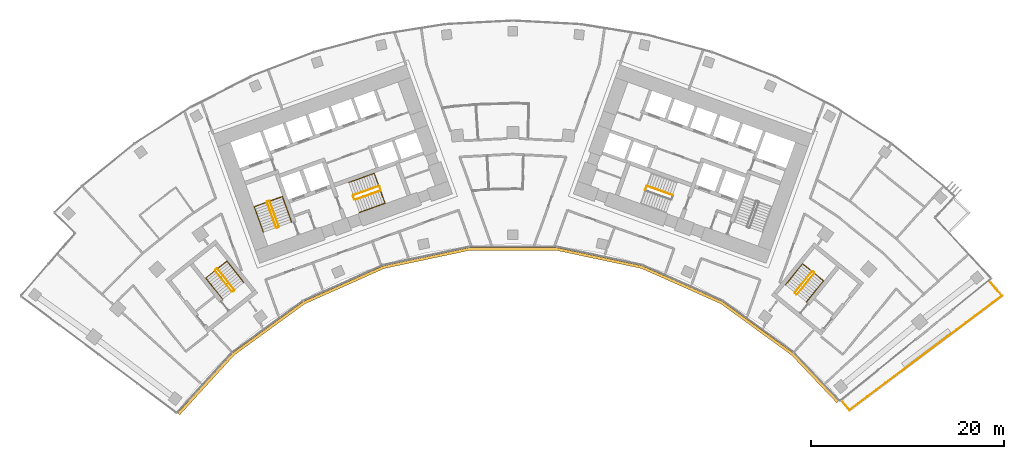
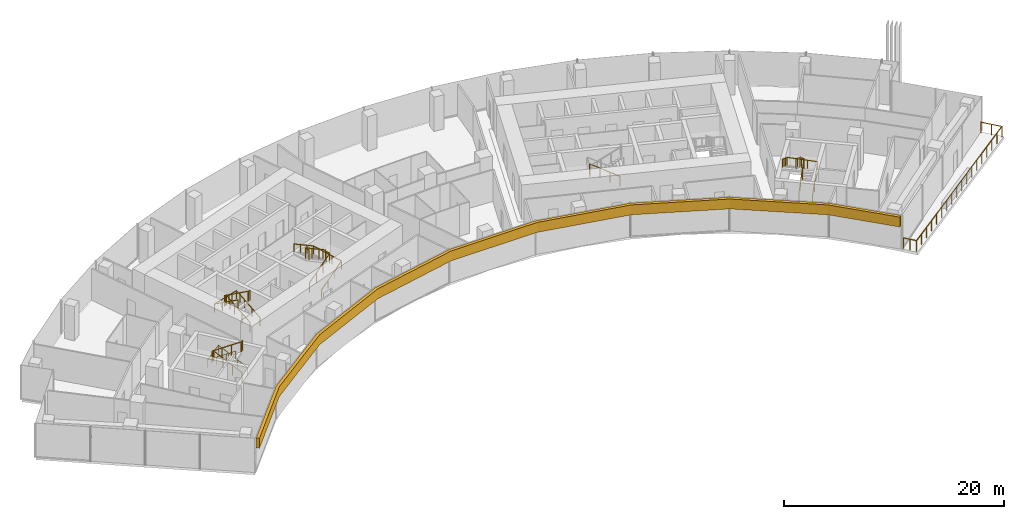
# One storey, part 20 of 21: 14 railings, 1 covering.
"""IFC4 building model written with IfcOpenShell, lengths in metres."""

from ifc_helpers import new_model, si_unit, direction, frame, origin, origin_2d, place, context, subcontext, project, spatial, polyline, circle, outline, extrude, material, layer, layer_set, type_object, element, save


model = new_model("IFC4")

# Units and contexts
model_context = context("Model", 3, precision=1e-05, world=origin(), true_north=direction((0.0, 1.0)))
body_context = subcontext(model_context, "Body", "Model", "MODEL_VIEW")
ifc_project = project(units=[si_unit("LENGTHUNIT", "METRE"), si_unit("AREAUNIT", "SQUARE_METRE"), si_unit("VOLUMEUNIT", "CUBIC_METRE"), si_unit("PLANEANGLEUNIT", "RADIAN"), si_unit("MASSUNIT", "GRAM", prefix="KILO")], contexts=[model_context])

# Site, building, storey
site_placement = place(None, origin())
site = spatial("IfcSite", under=ifc_project, at=site_placement, CompositionType="ELEMENT")
building_placement = place(site_placement, origin())
building = spatial("IfcBuilding", under=site, at=building_placement, Name="Stone Belt Terrace Tower", CompositionType="ELEMENT")
storey_placement = place(building_placement, frame((0.0, 0.0, 159.199951171875)))
storey = spatial("IfcBuildingStorey", under=building, at=storey_placement, Name="L38", CompositionType="ELEMENT", Elevation=159.199951171875)

# Railings
ifc_material_1 = material(Name="Structural steel C345", Category="steel")
railing_type_1 = type_object("IfcRailingType", Name="Stair guard 1100", PredefinedType="GUARDRAIL", material=ifc_material_1)
railing_1_placement = place(storey_placement, frame((-24.2119140625, 45.276123046875, 0.1728515625)))
element("IfcRailing", 1, at=railing_1_placement, inside=storey, type_object=railing_type_1, Name="L38 ST1A stair guard 1", PredefinedType="GUARDRAIL", context=body_context, shape_type="SweptSolid", body=[
    extrude(circle(Radius=0.02392578125, at=origin_2d()), frame((0.0, 0.0, 1.076171875), z_axis=(-0.288228637646, 0.800791768495, 0.525030280985), x_axis=(-0.940908529223, -0.338660803216, 0.0)), (0.0, 0.0, 1.0), 3.289794921875),
    extrude(circle(Radius=0.02392578125, at=origin_2d()), frame((-0.9482421875, 2.634521484375, 2.80322265625), z_axis=(-0.905209821074, 0.424964916, 0.0), x_axis=(-0.424964916, -0.905209821074, 0.0)), (0.0, 0.0, 1.0), 0.070556640625),
    extrude(circle(Radius=0.02392578125, at=origin_2d()), frame((-1.01220703125, 2.66455078125, 2.80322265625), z_axis=(-0.941105063269, -0.338114270461, 0.0), x_axis=(0.338114270461, -0.941105063269, 0.0)), (0.0, 0.0, 1.0), 0.199951171875),
    extrude(circle(Radius=0.02099609375, at=origin_2d()), origin(), (0.0, 0.0, 1.0), 1.052001953125),
    extrude(circle(Radius=0.02099609375, at=origin_2d()), frame((-0.316162109375, 0.878173828125, 0.57568359375)), (0.0, 0.0, 1.0), 1.052001953125),
    extrude(circle(Radius=0.02099609375, at=origin_2d()), frame((-0.632080078125, 1.75634765625, 1.151611328125)), (0.0, 0.0, 1.0), 1.052001953125),
    extrude(circle(Radius=0.02099609375, at=origin_2d()), frame((-0.9482421875, 2.634521484375, 1.727294921875)), (0.0, 0.0, 1.0), 1.052001953125),
    extrude(circle(Radius=0.02099609375, at=origin_2d()), frame((-1.01220703125, 2.66455078125, 1.727294921875)), (0.0, 0.0, 1.0), 1.052001953125),
    extrude(circle(Radius=0.02099609375, at=origin_2d()), frame((-1.200439453125, 2.596923828125, 1.727294921875)), (0.0, 0.0, 1.0), 1.052001953125),
])
railing_2_placement = place(storey_placement, frame((-25.4423828125, 47.80908203125, 2.07275390625)))
element("IfcRailing", 2, at=railing_2_placement, inside=storey, type_object=railing_type_1, Name="L38 ST1A stair guard 2", PredefinedType="GUARDRAIL", context=body_context, shape_type="SweptSolid", body=[
    extrude(circle(Radius=0.02392578125, at=origin_2d()), frame((0.0, 0.0, 1.076171875), z_axis=(0.288228637646, -0.800791768495, 0.525030280985), x_axis=(0.940908529223, 0.338660803216, 0.0)), (0.0, 0.0, 1.0), 3.289794921875),
    extrude(circle(Radius=0.02392578125, at=origin_2d()), frame((0.9482421875, -2.634521484375, 2.80322265625), z_axis=(0.903878284585, -0.427789722475, 0.0), x_axis=(0.427789722475, 0.903878284585, 0.0)), (0.0, 0.0, 1.0), 0.07080078125),
    extrude(circle(Radius=0.02392578125, at=origin_2d()), frame((1.01220703125, -2.664794921875, 2.80322265625), z_axis=(0.940575576748, 0.339584429008, 0.0), x_axis=(-0.339584429008, 0.940575576748, 0.0)), (0.0, 0.0, 1.0), 0.199951171875),
    extrude(circle(Radius=0.02099609375, at=origin_2d()), origin(), (0.0, 0.0, 1.0), 1.052001953125),
    extrude(circle(Radius=0.02099609375, at=origin_2d()), frame((0.316162109375, -0.878173828125, 0.57568359375)), (0.0, 0.0, 1.0), 1.052001953125),
    extrude(circle(Radius=0.02099609375, at=origin_2d()), frame((0.632080078125, -1.75634765625, 1.151611328125)), (0.0, 0.0, 1.0), 1.052001953125),
    extrude(circle(Radius=0.02099609375, at=origin_2d()), frame((0.9482421875, -2.634521484375, 1.727294921875)), (0.0, 0.0, 1.0), 1.052001953125),
    extrude(circle(Radius=0.02099609375, at=origin_2d()), frame((1.01220703125, -2.664794921875, 1.727294921875)), (0.0, 0.0, 1.0), 1.052001953125),
    extrude(circle(Radius=0.02099609375, at=origin_2d()), frame((1.2001953125, -2.596923828125, 1.727294921875)), (0.0, 0.0, 1.0), 1.052001953125),
])
railing_3_placement = place(storey_placement, frame((-16.33837890625, 48.056640625, 0.1728515625)))
element("IfcRailing", 3, at=railing_3_placement, inside=storey, type_object=railing_type_1, Name="L38 ST2A stair guard 1", PredefinedType="GUARDRAIL", context=body_context, shape_type="SweptSolid", body=[
    extrude(circle(Radius=0.02392578125, at=origin_2d()), frame((0.0, 0.0, 1.076171875), z_axis=(0.800808895155, 0.288160591223, 0.52504150989), x_axis=(-0.338583606334, 0.940936311087, 0.0)), (0.0, 0.0, 1.0), 3.289794921875),
    extrude(circle(Radius=0.02392578125, at=origin_2d()), frame((2.634521484375, 0.947998046875, 2.80322265625), z_axis=(0.427789722475, 0.903878284585, 0.0), x_axis=(-0.903878284585, 0.427789722475, 0.0)), (0.0, 0.0, 1.0), 0.07080078125),
    extrude(circle(Radius=0.02392578125, at=origin_2d()), frame((2.664794921875, 1.011962890625, 2.80322265625), z_axis=(-0.338654645739, 0.940910745459, 0.0), x_axis=(-0.940910745459, -0.338654645739, 0.0)), (0.0, 0.0, 1.0), 0.400146484375),
    extrude(circle(Radius=0.02099609375, at=origin_2d()), origin(), (0.0, 0.0, 1.0), 1.052001953125),
    extrude(circle(Radius=0.02099609375, at=origin_2d()), frame((0.878173828125, 0.31591796875, 0.57568359375)), (0.0, 0.0, 1.0), 1.052001953125),
    extrude(circle(Radius=0.02099609375, at=origin_2d()), frame((1.75634765625, 0.632080078125, 1.151611328125)), (0.0, 0.0, 1.0), 1.052001953125),
    extrude(circle(Radius=0.02099609375, at=origin_2d()), frame((2.634521484375, 0.947998046875, 1.727294921875)), (0.0, 0.0, 1.0), 1.052001953125),
    extrude(circle(Radius=0.02099609375, at=origin_2d()), frame((2.664794921875, 1.011962890625, 1.727294921875)), (0.0, 0.0, 1.0), 1.052001953125),
    extrude(circle(Radius=0.02099609375, at=origin_2d()), frame((2.529296875, 1.388427734375, 1.727294921875)), (0.0, 0.0, 1.0), 1.052001953125),
])
railing_4_placement = place(storey_placement, frame((-13.873046875, 49.47509765625, 2.07275390625)))
element("IfcRailing", 4, at=railing_4_placement, inside=storey, type_object=railing_type_1, Name="L38 ST2A stair guard 2", PredefinedType="GUARDRAIL", context=body_context, shape_type="SweptSolid", body=[
    extrude(circle(Radius=0.02392578125, at=origin_2d()), frame((0.0, 0.0, 1.076171875), z_axis=(-0.800808895155, -0.288160591223, 0.52504150989), x_axis=(0.338583606334, -0.940936311087, 0.0)), (0.0, 0.0, 1.0), 3.289794921875),
    extrude(circle(Radius=0.02392578125, at=origin_2d()), frame((-2.634521484375, -0.947998046875, 2.80322265625), z_axis=(-0.427789722475, -0.903878284585, 0.0), x_axis=(0.903878284585, -0.427789722475, 0.0)), (0.0, 0.0, 1.0), 0.07080078125),
    extrude(circle(Radius=0.02392578125, at=origin_2d()), frame((-2.664794921875, -1.011962890625, 2.80322265625), z_axis=(0.338654645739, -0.940910745459, 0.0), x_axis=(0.940910745459, 0.338654645739, 0.0)), (0.0, 0.0, 1.0), 0.400146484375),
    extrude(circle(Radius=0.02099609375, at=origin_2d()), origin(), (0.0, 0.0, 1.0), 1.052001953125),
    extrude(circle(Radius=0.02099609375, at=origin_2d()), frame((-0.878173828125, -0.31591796875, 0.57568359375)), (0.0, 0.0, 1.0), 1.052001953125),
    extrude(circle(Radius=0.02099609375, at=origin_2d()), frame((-1.75634765625, -0.632080078125, 1.151611328125)), (0.0, 0.0, 1.0), 1.052001953125),
    extrude(circle(Radius=0.02099609375, at=origin_2d()), frame((-2.634521484375, -0.947998046875, 1.727294921875)), (0.0, 0.0, 1.0), 1.052001953125),
    extrude(circle(Radius=0.02099609375, at=origin_2d()), frame((-2.664794921875, -1.011962890625, 1.727294921875)), (0.0, 0.0, 1.0), 1.052001953125),
    extrude(circle(Radius=0.02099609375, at=origin_2d()), frame((-2.529296875, -1.388427734375, 1.727294921875)), (0.0, 0.0, 1.0), 1.052001953125),
])
railing_5_placement = place(storey_placement, frame((16.507568359375, 48.527099609375, 0.1728515625)))
element("IfcRailing", 5, at=railing_5_placement, inside=storey, type_object=railing_type_1, Name="L38 ST2B stair guard 1", PredefinedType="GUARDRAIL", context=body_context, shape_type="SweptSolid", body=[
    extrude(circle(Radius=0.02392578125, at=origin_2d()), frame((0.0, 0.0, 1.076171875), z_axis=(-0.800808895155, 0.288160591223, 0.52504150989), x_axis=(-0.338583606334, -0.940936311087, 0.0)), (0.0, 0.0, 1.0), 3.289794921875),
    extrude(circle(Radius=0.02392578125, at=origin_2d()), frame((-2.634521484375, 0.947998046875, 2.80322265625), z_axis=(-0.905209821074, -0.424964916, 0.0), x_axis=(0.424964916, -0.905209821074, 0.0)), (0.0, 0.0, 1.0), 0.070556640625),
    extrude(circle(Radius=0.02392578125, at=origin_2d()), frame((-2.698486328125, 0.91796875, 2.80322265625), z_axis=(-0.338654645739, -0.940910745459, 0.0), x_axis=(0.940910745459, -0.338654645739, 0.0)), (0.0, 0.0, 1.0), 0.400146484375),
    extrude(circle(Radius=0.02099609375, at=origin_2d()), origin(), (0.0, 0.0, 1.0), 1.052001953125),
    extrude(circle(Radius=0.02099609375, at=origin_2d()), frame((-0.878173828125, 0.31591796875, 0.57568359375)), (0.0, 0.0, 1.0), 1.052001953125),
    extrude(circle(Radius=0.02099609375, at=origin_2d()), frame((-1.75634765625, 0.632080078125, 1.151611328125)), (0.0, 0.0, 1.0), 1.052001953125),
    extrude(circle(Radius=0.02099609375, at=origin_2d()), frame((-2.634521484375, 0.947998046875, 1.727294921875)), (0.0, 0.0, 1.0), 1.052001953125),
    extrude(circle(Radius=0.02099609375, at=origin_2d()), frame((-2.698486328125, 0.91796875, 1.727294921875)), (0.0, 0.0, 1.0), 1.052001953125),
    extrude(circle(Radius=0.02099609375, at=origin_2d()), frame((-2.833984375, 0.54150390625, 1.727294921875)), (0.0, 0.0, 1.0), 1.052001953125),
])
railing_6_placement = place(storey_placement, frame((-28.814208984375, 38.734619140625, 0.1728515625)))
element("IfcRailing", 6, at=railing_6_placement, inside=storey, type_object=railing_type_1, Name="L38 ST3A stair guard 1", PredefinedType="GUARDRAIL", context=body_context, shape_type="SweptSolid", body=[
    extrude(circle(Radius=0.02392578125, at=origin_2d()), frame((0.0, 0.0, 1.076171875), z_axis=(-0.530306321799, 0.665665785969, 0.525037395288), x_axis=(-0.782143211408, -0.623098705543, 0.0)), (0.0, 0.0, 1.0), 3.289794921875),
    extrude(circle(Radius=0.02392578125, at=origin_2d()), frame((-1.74462890625, 2.18994140625, 2.80322265625), z_axis=(-0.993883734674, 0.110431526075, 0.0), x_axis=(-0.110431526075, -0.993883734674, 0.0)), (0.0, 0.0, 1.0), 0.07080078125),
    extrude(circle(Radius=0.02392578125, at=origin_2d()), frame((-1.81494140625, 2.19775390625, 2.80322265625), z_axis=(-0.782533463299, -0.622608527742, 0.0), x_axis=(0.622608527742, -0.782533463299, 0.0)), (0.0, 0.0, 1.0), 0.199951171875),
    extrude(circle(Radius=0.02099609375, at=origin_2d()), origin(), (0.0, 0.0, 1.0), 1.052001953125),
    extrude(circle(Radius=0.02099609375, at=origin_2d()), frame((-0.58154296875, 0.72998046875, 0.57568359375)), (0.0, 0.0, 1.0), 1.052001953125),
    extrude(circle(Radius=0.02099609375, at=origin_2d()), frame((-1.1630859375, 1.4599609375, 1.151611328125)), (0.0, 0.0, 1.0), 1.052001953125),
    extrude(circle(Radius=0.02099609375, at=origin_2d()), frame((-1.74462890625, 2.18994140625, 1.727294921875)), (0.0, 0.0, 1.0), 1.052001953125),
    extrude(circle(Radius=0.02099609375, at=origin_2d()), frame((-1.81494140625, 2.19775390625, 1.727294921875)), (0.0, 0.0, 1.0), 1.052001953125),
    extrude(circle(Radius=0.02099609375, at=origin_2d()), frame((-1.971435546875, 2.0732421875, 1.727294921875)), (0.0, 0.0, 1.0), 1.052001953125),
])
railing_7_placement = place(storey_placement, frame((-30.793701171875, 40.737548828125, 2.07275390625)))
element("IfcRailing", 7, at=railing_7_placement, inside=storey, type_object=railing_type_1, Name="L38 ST3A stair guard 2", PredefinedType="GUARDRAIL", context=body_context, shape_type="SweptSolid", body=[
    extrude(circle(Radius=0.02392578125, at=origin_2d()), frame((0.0, 0.0, 1.076171875), z_axis=(0.530359659125, -0.665639588968, 0.525016732659), x_axis=(0.782100716982, 0.62315204284, 0.0)), (0.0, 0.0, 1.0), 3.2900390625),
    extrude(circle(Radius=0.02392578125, at=origin_2d()), frame((1.744873046875, -2.18994140625, 2.80322265625), z_axis=(0.993499272973, -0.113838458361, 0.0), x_axis=(0.113838458361, 0.993499272973, 0.0)), (0.0, 0.0, 1.0), 0.07080078125),
    extrude(circle(Radius=0.02392578125, at=origin_2d()), frame((1.815185546875, -2.197998046875, 2.80322265625), z_axis=(0.781464082609, 0.623950228458, 0.0), x_axis=(-0.623950228458, 0.781464082609, 0.0)), (0.0, 0.0, 1.0), 0.199951171875),
    extrude(circle(Radius=0.02099609375, at=origin_2d()), origin(), (0.0, 0.0, 1.0), 1.052001953125),
    extrude(circle(Radius=0.02099609375, at=origin_2d()), frame((0.58154296875, -0.72998046875, 0.57568359375)), (0.0, 0.0, 1.0), 1.052001953125),
    extrude(circle(Radius=0.02099609375, at=origin_2d()), frame((1.163330078125, -1.4599609375, 1.151611328125)), (0.0, 0.0, 1.0), 1.052001953125),
    extrude(circle(Radius=0.02099609375, at=origin_2d()), frame((1.744873046875, -2.18994140625, 1.727294921875)), (0.0, 0.0, 1.0), 1.052001953125),
    extrude(circle(Radius=0.02099609375, at=origin_2d()), frame((1.815185546875, -2.197998046875, 1.727294921875)), (0.0, 0.0, 1.0), 1.052001953125),
    extrude(circle(Radius=0.02099609375, at=origin_2d()), frame((1.971435546875, -2.0732421875, 1.727294921875)), (0.0, 0.0, 1.0), 1.052001953125),
])
railing_8_placement = place(storey_placement, frame((29.39794921875, 38.281982421875, 0.1728515625)))
element("IfcRailing", 8, at=railing_8_placement, inside=storey, type_object=railing_type_1, Name="L38 ST3B stair guard 1", PredefinedType="GUARDRAIL", context=body_context, shape_type="SweptSolid", body=[
    extrude(circle(Radius=0.02392578125, at=origin_2d()), frame((0.0, 0.0, 1.076171875), z_axis=(0.536393061503, 0.660769759217, 0.525038864158), x_axis=(-0.776391310223, 0.630251166924, 0.0)), (0.0, 0.0, 1.0), 3.289794921875),
    extrude(circle(Radius=0.02392578125, at=origin_2d()), frame((1.7646484375, 2.173828125, 2.80322265625), z_axis=(-0.103251414163, 0.994655289773, 0.0), x_axis=(-0.994655289773, -0.103251414163, 0.0)), (0.0, 0.0, 1.0), 0.071044921875),
    extrude(circle(Radius=0.02392578125, at=origin_2d()), frame((1.75732421875, 2.244384765625, 2.80322265625), z_axis=(-0.776561986372, 0.630040856868, 0.0), x_axis=(-0.630040856868, -0.776561986372, 0.0)), (0.0, 0.0, 1.0), 0.199951171875),
    extrude(circle(Radius=0.02099609375, at=origin_2d()), origin(), (0.0, 0.0, 1.0), 1.052001953125),
    extrude(circle(Radius=0.02099609375, at=origin_2d()), frame((0.588134765625, 0.724609375, 0.57568359375)), (0.0, 0.0, 1.0), 1.052001953125),
    extrude(circle(Radius=0.02099609375, at=origin_2d()), frame((1.176513671875, 1.44921875, 1.151611328125)), (0.0, 0.0, 1.0), 1.052001953125),
    extrude(circle(Radius=0.02099609375, at=origin_2d()), frame((1.7646484375, 2.173828125, 1.727294921875)), (0.0, 0.0, 1.0), 1.052001953125),
    extrude(circle(Radius=0.02099609375, at=origin_2d()), frame((1.75732421875, 2.244384765625, 1.727294921875)), (0.0, 0.0, 1.0), 1.052001953125),
    extrude(circle(Radius=0.02099609375, at=origin_2d()), frame((1.60205078125, 2.370361328125, 1.727294921875)), (0.0, 0.0, 1.0), 1.052001953125),
])
railing_9_placement = place(storey_placement, frame((30.9296875, 40.64501953125, 2.07275390625)))
element("IfcRailing", 9, at=railing_9_placement, inside=storey, type_object=railing_type_1, Name="L38 ST3B stair guard 2", PredefinedType="GUARDRAIL", context=body_context, shape_type="SweptSolid", body=[
    extrude(circle(Radius=0.02392578125, at=origin_2d()), frame((0.0, 0.0, 1.076171875), z_axis=(-0.536366759382, -0.660811565066, 0.525013118792), x_axis=(0.776425942316, -0.630208502084, 0.0)), (0.0, 0.0, 1.0), 3.2900390625),
    extrude(circle(Radius=0.02392578125, at=origin_2d()), frame((-1.7646484375, -2.174072265625, 2.80322265625), z_axis=(0.103606084259, -0.994618408891, 0.0), x_axis=(0.994618408891, 0.103606084259, 0.0)), (0.0, 0.0, 1.0), 0.07080078125),
    extrude(circle(Radius=0.02392578125, at=origin_2d()), frame((-1.75732421875, -2.244384765625, 2.80322265625), z_axis=(0.776561986372, -0.630040856868, 0.0), x_axis=(0.630040856868, 0.776561986372, 0.0)), (0.0, 0.0, 1.0), 0.199951171875),
    extrude(circle(Radius=0.02099609375, at=origin_2d()), origin(), (0.0, 0.0, 1.0), 1.052001953125),
    extrude(circle(Radius=0.02099609375, at=origin_2d()), frame((-0.588134765625, -0.724609375, 0.57568359375)), (0.0, 0.0, 1.0), 1.052001953125),
    extrude(circle(Radius=0.02099609375, at=origin_2d()), frame((-1.176513671875, -1.449462890625, 1.151611328125)), (0.0, 0.0, 1.0), 1.052001953125),
    extrude(circle(Radius=0.02099609375, at=origin_2d()), frame((-1.7646484375, -2.174072265625, 1.727294921875)), (0.0, 0.0, 1.0), 1.052001953125),
    extrude(circle(Radius=0.02099609375, at=origin_2d()), frame((-1.75732421875, -2.244384765625, 1.727294921875)), (0.0, 0.0, 1.0), 1.052001953125),
    extrude(circle(Radius=0.02099609375, at=origin_2d()), frame((-1.60205078125, -2.370361328125, 1.727294921875)), (0.0, 0.0, 1.0), 1.052001953125),
])
railing_type_2 = type_object("IfcRailingType", Name="Stair handrail 900", PredefinedType="HANDRAIL", material=ifc_material_1)
railing_10_placement = place(storey_placement, frame((-22.894775390625, 45.750244140625, 0.1728515625)))
element("IfcRailing", 10, at=railing_10_placement, inside=storey, type_object=railing_type_2, Name="L38 ST1A stair handrail 1", PredefinedType="HANDRAIL", context=body_context, shape_type="SweptSolid", body=[
    extrude(circle(Radius=0.02392578125, at=origin_2d()), frame((0.0, 0.0, 0.8759765625), z_axis=(-0.288160591223, 0.800808895155, 0.52504150989), x_axis=(-0.940936311087, -0.338583606334, 0.0)), (0.0, 0.0, 1.0), 3.289794921875),
    extrude(circle(Radius=0.02392578125, at=origin_2d()), frame((-0.947998046875, 2.634521484375, 2.60302734375), z_axis=(-0.939464517435, -0.338106580597, 0.055591012205), x_axis=(0.338630230244, -0.940919532779, 0.0)), (0.0, 0.0, 1.0), 3.10498046875),
    extrude(circle(Radius=0.02392578125, at=origin_2d()), frame((-3.864990234375, 1.584716796875, 2.77587890625), z_axis=(0.288228637646, -0.800791768495, 0.525030280985), x_axis=(0.940908529223, 0.338660803216, 0.0)), (0.0, 0.0, 1.0), 3.289794921875),
    extrude(circle(Radius=0.02099609375, at=origin_2d()), origin(), (0.0, 0.0, 1.0), 0.851806640625),
    extrude(circle(Radius=0.02099609375, at=origin_2d()), frame((-0.31591796875, 0.878173828125, 0.57568359375)), (0.0, 0.0, 1.0), 0.851806640625),
    extrude(circle(Radius=0.02099609375, at=origin_2d()), frame((-0.632080078125, 1.75634765625, 1.151611328125)), (0.0, 0.0, 1.0), 0.851806640625),
    extrude(circle(Radius=0.02099609375, at=origin_2d()), frame((-0.947998046875, 2.634521484375, 1.727294921875)), (0.0, 0.0, 1.0), 0.851806640625),
    extrude(circle(Radius=0.02099609375, at=origin_2d()), frame((-1.92041015625, 2.28466796875, 1.784912109375)), (0.0, 0.0, 1.0), 0.851806640625),
    extrude(circle(Radius=0.02099609375, at=origin_2d()), frame((-2.892578125, 1.9345703125, 1.84228515625)), (0.0, 0.0, 1.0), 0.851806640625),
    extrude(circle(Radius=0.02099609375, at=origin_2d()), frame((-3.864990234375, 1.584716796875, 1.89990234375)), (0.0, 0.0, 1.0), 0.851806640625),
    extrude(circle(Radius=0.02099609375, at=origin_2d()), frame((-3.548828125, 0.70654296875, 2.4755859375)), (0.0, 0.0, 1.0), 0.851806640625),
    extrude(circle(Radius=0.02099609375, at=origin_2d()), frame((-3.23291015625, -0.171630859375, 3.051513671875)), (0.0, 0.0, 1.0), 0.851806640625),
    extrude(circle(Radius=0.02099609375, at=origin_2d()), frame((-2.916748046875, -1.0498046875, 3.627197265625)), (0.0, 0.0, 1.0), 0.851806640625),
])
railing_11_placement = place(storey_placement, frame((-15.8642578125, 46.7392578125, 0.1728515625)))
element("IfcRailing", 11, at=railing_11_placement, inside=storey, type_object=railing_type_2, Name="L38 ST2A stair handrail 1", PredefinedType="HANDRAIL", context=body_context, shape_type="SweptSolid", body=[
    extrude(circle(Radius=0.02392578125, at=origin_2d()), frame((0.0, 0.0, 0.8759765625), z_axis=(0.800791768495, 0.288228637646, 0.525030280985), x_axis=(-0.338660803216, 0.940908529223, 0.0)), (0.0, 0.0, 1.0), 3.289794921875),
    extrude(circle(Radius=0.02392578125, at=origin_2d()), frame((2.634521484375, 0.9482421875, 2.60302734375), z_axis=(-0.338160254016, 0.939637778147, 0.052234935458), x_axis=(-0.940922302781, -0.338622533404, 0.0)), (0.0, 0.0, 1.0), 3.304443359375),
    extrude(circle(Radius=0.02392578125, at=origin_2d()), frame((1.51708984375, 4.05322265625, 2.77587890625), z_axis=(-0.800791768495, -0.288228637646, 0.525030280985), x_axis=(0.338660803216, -0.940908529223, 0.0)), (0.0, 0.0, 1.0), 3.289794921875),
    extrude(circle(Radius=0.02099609375, at=origin_2d()), origin(), (0.0, 0.0, 1.0), 0.851806640625),
    extrude(circle(Radius=0.02099609375, at=origin_2d()), frame((0.878173828125, 0.316162109375, 0.57568359375)), (0.0, 0.0, 1.0), 0.851806640625),
    extrude(circle(Radius=0.02099609375, at=origin_2d()), frame((1.75634765625, 0.632080078125, 1.151611328125)), (0.0, 0.0, 1.0), 0.851806640625),
    extrude(circle(Radius=0.02099609375, at=origin_2d()), frame((2.634521484375, 0.9482421875, 1.727294921875)), (0.0, 0.0, 1.0), 0.851806640625),
    extrude(circle(Radius=0.02099609375, at=origin_2d()), frame((2.261962890625, 1.983154296875, 1.784912109375)), (0.0, 0.0, 1.0), 0.851806640625),
    extrude(circle(Radius=0.02099609375, at=origin_2d()), frame((1.8896484375, 3.018310546875, 1.84228515625)), (0.0, 0.0, 1.0), 0.851806640625),
    extrude(circle(Radius=0.02099609375, at=origin_2d()), frame((1.51708984375, 4.05322265625, 1.89990234375)), (0.0, 0.0, 1.0), 0.851806640625),
    extrude(circle(Radius=0.02099609375, at=origin_2d()), frame((0.638916015625, 3.737060546875, 2.4755859375)), (0.0, 0.0, 1.0), 0.851806640625),
    extrude(circle(Radius=0.02099609375, at=origin_2d()), frame((-0.2392578125, 3.421142578125, 3.051513671875)), (0.0, 0.0, 1.0), 0.851806640625),
    extrude(circle(Radius=0.02099609375, at=origin_2d()), frame((-1.117431640625, 3.10498046875, 3.627197265625)), (0.0, 0.0, 1.0), 0.851806640625),
])
railing_12_placement = place(storey_placement, frame((-27.836669921875, 39.513427734375, 0.1728515625)))
element("IfcRailing", 12, at=railing_12_placement, inside=storey, type_object=railing_type_2, Name="L38 ST3A stair handrail 1", PredefinedType="HANDRAIL", context=body_context, shape_type="SweptSolid", body=[
    extrude(circle(Radius=0.02392578125, at=origin_2d()), frame((0.0, 0.0, 0.8759765625), z_axis=(-0.530306321799, 0.665665785969, 0.525037395288), x_axis=(-0.782143211408, -0.623098705543, 0.0)), (0.0, 0.0, 1.0), 3.289794921875),
    extrude(circle(Radius=0.02392578125, at=origin_2d()), frame((-1.74462890625, 2.18994140625, 2.60302734375), z_axis=(-0.780661215256, -0.62191806513, 0.061530376721), x_axis=(0.623098705543, -0.782143211408, 0.0)), (0.0, 0.0, 1.0), 2.80517578125),
    extrude(circle(Radius=0.02392578125, at=origin_2d()), frame((-3.9345703125, 0.4453125, 2.77587890625), z_axis=(0.530306321799, -0.665665785969, 0.525037395288), x_axis=(0.782143211408, 0.623098705543, 0.0)), (0.0, 0.0, 1.0), 3.289794921875),
    extrude(circle(Radius=0.02099609375, at=origin_2d()), origin(), (0.0, 0.0, 1.0), 0.851806640625),
    extrude(circle(Radius=0.02099609375, at=origin_2d()), frame((-0.58154296875, 0.72998046875, 0.57568359375)), (0.0, 0.0, 1.0), 0.851806640625),
    extrude(circle(Radius=0.02099609375, at=origin_2d()), frame((-1.1630859375, 1.4599609375, 1.151611328125)), (0.0, 0.0, 1.0), 0.851806640625),
    extrude(circle(Radius=0.02099609375, at=origin_2d()), frame((-1.74462890625, 2.18994140625, 1.727294921875)), (0.0, 0.0, 1.0), 0.851806640625),
    extrude(circle(Radius=0.02099609375, at=origin_2d()), frame((-2.474609375, 1.6083984375, 1.784912109375)), (0.0, 0.0, 1.0), 0.851806640625),
    extrude(circle(Radius=0.02099609375, at=origin_2d()), frame((-3.20458984375, 1.02685546875, 1.84228515625)), (0.0, 0.0, 1.0), 0.851806640625),
    extrude(circle(Radius=0.02099609375, at=origin_2d()), frame((-3.9345703125, 0.4453125, 1.89990234375)), (0.0, 0.0, 1.0), 0.851806640625),
    extrude(circle(Radius=0.02099609375, at=origin_2d()), frame((-3.35302734375, -0.28466796875, 2.4755859375)), (0.0, 0.0, 1.0), 0.851806640625),
    extrude(circle(Radius=0.02099609375, at=origin_2d()), frame((-2.771484375, -1.0146484375, 3.051513671875)), (0.0, 0.0, 1.0), 0.851806640625),
    extrude(circle(Radius=0.02099609375, at=origin_2d()), frame((-2.18994140625, -1.74462890625, 3.627197265625)), (0.0, 0.0, 1.0), 0.851806640625),
])
railing_13_placement = place(storey_placement, frame((30.36865234375, 37.494140625, 0.1728515625)))
element("IfcRailing", 13, at=railing_13_placement, inside=storey, type_object=railing_type_2, Name="L38 ST3B stair handrail 1", PredefinedType="HANDRAIL", context=body_context, shape_type="SweptSolid", body=[
    extrude(circle(Radius=0.02392578125, at=origin_2d()), frame((0.0, 0.0, 0.8759765625), z_axis=(0.536366759382, 0.660811565066, 0.525013118792), x_axis=(-0.776425942316, 0.630208502084, 0.0)), (0.0, 0.0, 1.0), 3.2900390625),
    extrude(circle(Radius=0.02392578125, at=origin_2d()), frame((1.7646484375, 2.174072265625, 2.60302734375), z_axis=(-0.774954966459, 0.629014542119, 0.061526463929), x_axis=(-0.630208502084, -0.776425942316, 0.0)), (0.0, 0.0, 1.0), 2.805419921875),
    extrude(circle(Radius=0.02392578125, at=origin_2d()), frame((-0.409423828125, 3.938720703125, 2.77587890625), z_axis=(-0.536366759382, -0.660811565066, 0.525013118792), x_axis=(0.776425942316, -0.630208502084, 0.0)), (0.0, 0.0, 1.0), 3.2900390625),
    extrude(circle(Radius=0.02099609375, at=origin_2d()), origin(), (0.0, 0.0, 1.0), 0.851806640625),
    extrude(circle(Radius=0.02099609375, at=origin_2d()), frame((0.588134765625, 0.724609375, 0.57568359375)), (0.0, 0.0, 1.0), 0.851806640625),
    extrude(circle(Radius=0.02099609375, at=origin_2d()), frame((1.176513671875, 1.449462890625, 1.151611328125)), (0.0, 0.0, 1.0), 0.851806640625),
    extrude(circle(Radius=0.02099609375, at=origin_2d()), frame((1.7646484375, 2.174072265625, 1.727294921875)), (0.0, 0.0, 1.0), 0.851806640625),
    extrude(circle(Radius=0.02099609375, at=origin_2d()), frame((1.0400390625, 2.76220703125, 1.784912109375)), (0.0, 0.0, 1.0), 0.851806640625),
    extrude(circle(Radius=0.02099609375, at=origin_2d()), frame((0.315185546875, 3.3505859375, 1.84228515625)), (0.0, 0.0, 1.0), 0.851806640625),
    extrude(circle(Radius=0.02099609375, at=origin_2d()), frame((-0.409423828125, 3.938720703125, 1.89990234375)), (0.0, 0.0, 1.0), 0.851806640625),
    extrude(circle(Radius=0.02099609375, at=origin_2d()), frame((-0.99755859375, 3.214111328125, 2.4755859375)), (0.0, 0.0, 1.0), 0.851806640625),
    extrude(circle(Radius=0.02099609375, at=origin_2d()), frame((-1.5859375, 2.4892578125, 3.051513671875)), (0.0, 0.0, 1.0), 0.851806640625),
    extrude(circle(Radius=0.02099609375, at=origin_2d()), frame((-2.174072265625, 1.7646484375, 3.627197265625)), (0.0, 0.0, 1.0), 0.851806640625),
])
ifc_material_2 = material(Name="Stainless steel AISI 304", Category="steel")
railing_type_3 = type_object("IfcRailingType", Name="Terrace guard 1200", PredefinedType="GUARDRAIL", material=ifc_material_2)
railing_14_placement = place(storey_placement, frame((34.0068359375, 27.30078125, 0.0)))
element("IfcRailing", 14, at=railing_14_placement, inside=storey, type_object=railing_type_3, Name="GUARD L38 1.1", PredefinedType="GUARDRAIL", context=body_context, shape_type="SweptSolid", body=[
    extrude(circle(Radius=0.02490234375, at=origin_2d()), frame((0.0, 0.0, 1.1748046875), z_axis=(0.635188406176, -0.772357228657, 0.0), x_axis=(0.772357228657, 0.635188406176, 0.0)), (0.0, 0.0, 1.0), 1.286865234375),
    extrude(circle(Radius=0.02490234375, at=origin_2d()), frame((0.8173828125, -0.993896484375, 1.1748046875), z_axis=(0.799989587706, 0.600013882807, 0.0), x_axis=(-0.600013882807, 0.799989587706, 0.0)), (0.0, 0.0, 1.0), 19.696044921875),
    extrude(circle(Radius=0.02490234375, at=origin_2d()), frame((16.573974609375, 10.823974609375, 1.1748046875), z_axis=(-0.652775723664, 0.757551222423, 0.0), x_axis=(-0.757551222423, -0.652775723664, 0.0)), (0.0, 0.0, 1.0), 2.00390625),
    extrude(circle(Radius=0.02001953125, at=origin_2d()), origin(), (0.0, 0.0, 1.0), 1.14990234375),
    extrude(circle(Radius=0.02001953125, at=origin_2d()), frame((0.40869140625, -0.4970703125, 0.0)), (0.0, 0.0, 1.0), 1.14990234375),
    extrude(circle(Radius=0.02001953125, at=origin_2d()), frame((0.8173828125, -0.993896484375, 0.0)), (0.0, 0.0, 1.0), 1.14990234375),
    extrude(circle(Radius=0.02001953125, at=origin_2d()), frame((1.744140625, -0.298828125, 0.0)), (0.0, 0.0, 1.0), 1.14990234375),
    extrude(circle(Radius=0.02001953125, at=origin_2d()), frame((2.671142578125, 0.396484375, 0.0)), (0.0, 0.0, 1.0), 1.14990234375),
    extrude(circle(Radius=0.02001953125, at=origin_2d()), frame((3.597900390625, 1.091552734375, 0.0)), (0.0, 0.0, 1.0), 1.14990234375),
    extrude(circle(Radius=0.02001953125, at=origin_2d()), frame((4.52490234375, 1.786865234375, 0.0)), (0.0, 0.0, 1.0), 1.14990234375),
    extrude(circle(Radius=0.02001953125, at=origin_2d()), frame((5.45166015625, 2.48193359375, 0.0)), (0.0, 0.0, 1.0), 1.14990234375),
    extrude(circle(Radius=0.02001953125, at=origin_2d()), frame((6.37841796875, 3.177001953125, 0.0)), (0.0, 0.0, 1.0), 1.14990234375),
    extrude(circle(Radius=0.02001953125, at=origin_2d()), frame((7.305419921875, 3.872314453125, 0.0)), (0.0, 0.0, 1.0), 1.14990234375),
    extrude(circle(Radius=0.02001953125, at=origin_2d()), frame((8.232177734375, 4.5673828125, 0.0)), (0.0, 0.0, 1.0), 1.14990234375),
    extrude(circle(Radius=0.02001953125, at=origin_2d()), frame((9.1591796875, 5.2626953125, 0.0)), (0.0, 0.0, 1.0), 1.14990234375),
    extrude(circle(Radius=0.02001953125, at=origin_2d()), frame((10.0859375, 5.957763671875, 0.0)), (0.0, 0.0, 1.0), 1.14990234375),
    extrude(circle(Radius=0.02001953125, at=origin_2d()), frame((11.012939453125, 6.653076171875, 0.0)), (0.0, 0.0, 1.0), 1.14990234375),
    extrude(circle(Radius=0.02001953125, at=origin_2d()), frame((11.939697265625, 7.34814453125, 0.0)), (0.0, 0.0, 1.0), 1.14990234375),
    extrude(circle(Radius=0.02001953125, at=origin_2d()), frame((12.866455078125, 8.043212890625, 0.0)), (0.0, 0.0, 1.0), 1.14990234375),
    extrude(circle(Radius=0.02001953125, at=origin_2d()), frame((13.79345703125, 8.738525390625, 0.0)), (0.0, 0.0, 1.0), 1.14990234375),
    extrude(circle(Radius=0.02001953125, at=origin_2d()), frame((14.72021484375, 9.43359375, 0.0)), (0.0, 0.0, 1.0), 1.14990234375),
    extrude(circle(Radius=0.02001953125, at=origin_2d()), frame((15.647216796875, 10.12890625, 0.0)), (0.0, 0.0, 1.0), 1.14990234375),
    extrude(circle(Radius=0.02001953125, at=origin_2d()), frame((16.573974609375, 10.823974609375, 0.0)), (0.0, 0.0, 1.0), 1.14990234375),
    extrude(circle(Radius=0.02001953125, at=origin_2d()), frame((15.919921875, 11.5830078125, 0.0)), (0.0, 0.0, 1.0), 1.14990234375),
    extrude(circle(Radius=0.02001953125, at=origin_2d()), frame((15.265869140625, 12.342041015625, 0.0)), (0.0, 0.0, 1.0), 1.14990234375),
])

# Covering
ifc_material_3 = material(Name="Terracotta coloured glazed ceramic", Category="masonry")
ifc_layer = layer(ifc_material_3, 0.300048828125)
ifc_layer_set = layer_set([ifc_layer], Name="Terracotta spandrel band 300 x 1100")
covering_type = type_object("IfcCoveringType", Name="Terracotta spandrel band 300 x 1100", PredefinedType="CLADDING", material=ifc_layer_set)
covering_placement = place(storey_placement, frame((0.0, 0.0, 2.699951171875)))
element("IfcCovering", 15, at=covering_placement, inside=storey, type_object=covering_type, Name="BAND L38", PredefinedType="CLADDING", context=body_context, shape_type="SweptSolid", body=[
    extrude(outline(polyline([(-34.688720703125, 25.99951171875), (-29.0068359375, 32.21435546875), (-21.674560546875, 37.54150390625), (-13.395751953125, 41.2275390625), (-4.53125, 43.11181640625), (4.53125, 43.11181640625), (13.395751953125, 41.2275390625), (21.674560546875, 37.54150390625), (29.0078125, 32.213623046875), (33.71875, 27.245361328125), (33.5009765625, 27.0390625), (28.80908203125, 31.987060546875), (21.523681640625, 37.2802734375), (13.302490234375, 40.940673828125), (4.499755859375, 42.811767578125), (-4.499755859375, 42.811767578125), (-13.302490234375, 40.940673828125), (-21.523681640625, 37.2802734375), (-28.805908203125, 31.989501953125), (-34.46728515625, 25.797119140625), (-34.688720703125, 25.99951171875)])), origin(), (0.0, 0.0, 1.0), 1.10009765625),
])

save(model, "model.ifc")
